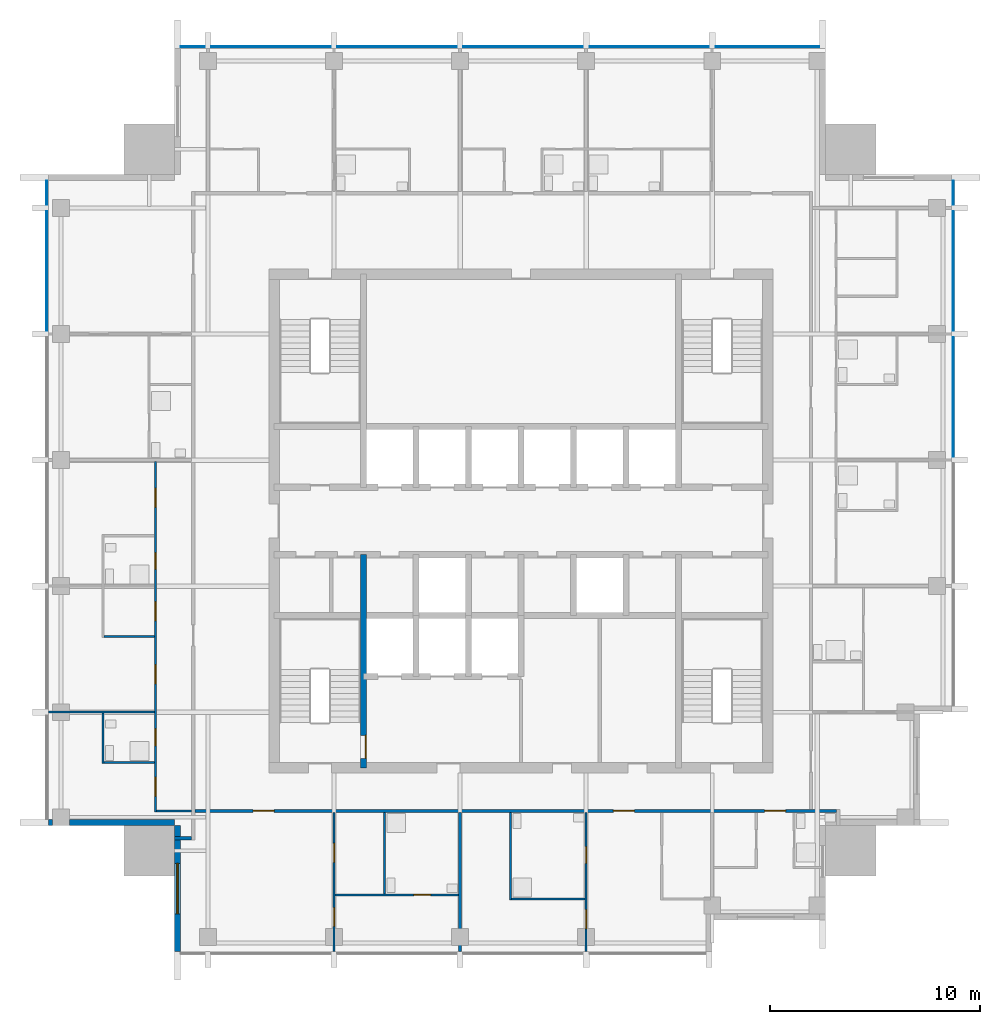
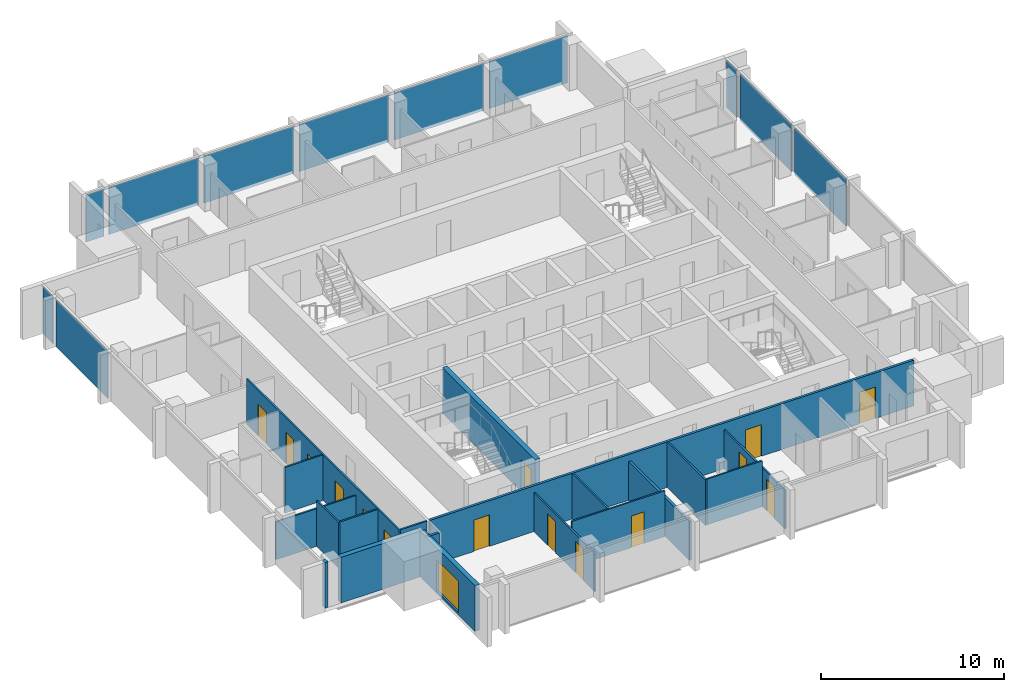
# One storey, part 3 of 9: 19 walls, 15 doors, 11 plates, 1 window, 16 openings, 3 elements without a shape of their own.
"""IFC4 building model written with IfcOpenShell, lengths in metres."""

from ifc_helpers import new_model, si_unit, direction, frame, frame_2d, origin, origin_2d, place, context, subcontext, project, spatial, rectangle, extrude, material, layer, layer_set, type_object, element, fill, aggregate, save


model = new_model("IFC4")

# Units and contexts
model_context = context("Model", 3, precision=1e-05, world=origin(), true_north=direction((0.0, 1.0)))
body_context = subcontext(model_context, "Body", "Model", "MODEL_VIEW")
ifc_project = project(units=[si_unit("LENGTHUNIT", "METRE"), si_unit("AREAUNIT", "SQUARE_METRE"), si_unit("VOLUMEUNIT", "CUBIC_METRE"), si_unit("PLANEANGLEUNIT", "RADIAN"), si_unit("MASSUNIT", "GRAM", prefix="KILO")], contexts=[model_context])

# Site, building, storey
site_placement = place(None, origin())
site = spatial("IfcSite", under=ifc_project, at=site_placement, CompositionType="ELEMENT")
building_placement = place(site_placement, origin())
building = spatial("IfcBuilding", under=site, at=building_placement, Name="Amberfall Residences", CompositionType="ELEMENT")
storey_placement = place(building_placement, frame((0.0, 0.0, 265.300048828125)))
storey = spatial("IfcBuildingStorey", under=building, at=storey_placement, Name="L71", CompositionType="ELEMENT", Elevation=265.300048828125)

# Curtain wall, plates
ifc_material_1 = material(Name="Bronze anodised aluminium and glass", Category="aluminium")
curtain_wall_type = type_object("IfcCurtainWallType", Name="Curtain wall CW1 tower unit", PredefinedType="USERDEFINED", material=ifc_material_1)
curtain_wall_1_placement = place(storey_placement, origin())
curtain_wall_1 = element("IfcCurtainWall", 1, at=curtain_wall_1_placement, inside=storey, type_object=curtain_wall_type, Name="Curtain wall L71 E E3", ObjectType="UNITISED CURTAIN WALL", PredefinedType="USERDEFINED")
ifc_material_2 = material(Name="Tinted double glazed unit", Category="glass")
ifc_layer_1 = layer(ifc_material_2, 0.035888671875)
ifc_layer_set_1 = layer_set([ifc_layer_1], Name="CW1 panel 36 glazing")
plate_type = type_object("IfcPlateType", Name="CW1 panel 36 glazing", PredefinedType="CURTAIN_PANEL", material=ifc_layer_set_1)
plate_1_placement = place(storey_placement, frame((95.074951171875, 51.39990234375, -0.25), z_axis=(0.0, 0.0, 1.0), x_axis=(0.0, 1.0, 0.0)))
plate_1 = element("IfcPlate", 2, at=plate_1_placement, type_object=plate_type, Name="CW1 panel 3.1", PredefinedType="CURTAIN_PANEL", context=body_context, shape_type="SweptSolid", body=[
    extrude(rectangle(XDim=5.676025390625, YDim=0.035888671875, at=origin_2d()), origin(), (0.0, 0.0, 1.0), 3.14990234375),
])
plate_2_placement = place(storey_placement, frame((95.074951171875, 57.39990234375, -0.25), z_axis=(0.0, 0.0, 1.0), x_axis=(0.0, 1.0, 0.0)))
plate_2 = element("IfcPlate", 3, at=plate_2_placement, type_object=plate_type, Name="CW1 panel 4.1", PredefinedType="CURTAIN_PANEL", context=body_context, shape_type="SweptSolid", body=[
    extrude(rectangle(XDim=5.676025390625, YDim=0.035888671875, at=origin_2d()), origin(), (0.0, 0.0, 1.0), 3.14990234375),
])
plate_3_placement = place(storey_placement, frame((95.074951171875, 61.125, -0.25), z_axis=(0.0, 0.0, 1.0), x_axis=(0.0, 1.0, 0.0)))
plate_3 = element("IfcPlate", 4, at=plate_3_placement, type_object=plate_type, Name="CW1 panel 5.1", PredefinedType="CURTAIN_PANEL", context=body_context, shape_type="SweptSolid", body=[
    extrude(rectangle(XDim=1.1259765625, YDim=0.035888671875, at=origin_2d()), origin(), (0.0, 0.0, 1.0), 3.14990234375),
])
aggregate(curtain_wall_1, [plate_1, plate_2, plate_3])

curtain_wall_2_placement = place(storey_placement, origin())
curtain_wall_2 = element("IfcCurtainWall", 5, at=curtain_wall_2_placement, inside=storey, type_object=curtain_wall_type, Name="Curtain wall L71 N N1", ObjectType="UNITISED CURTAIN WALL", PredefinedType="USERDEFINED")
plate_4_placement = place(storey_placement, frame((86.22509765625, 68.074951171875, -0.25), z_axis=(0.0, 0.0, 1.0), x_axis=(-1.0, 0.0, 0.0)))
plate_4 = element("IfcPlate", 6, at=plate_4_placement, type_object=plate_type, Name="CW1 panel 1.1", PredefinedType="CURTAIN_PANEL", context=body_context, shape_type="SweptSolid", body=[
    extrude(rectangle(XDim=4.926025390625, YDim=0.035888671875, at=origin_2d()), origin(), (0.0, 0.0, 1.0), 3.14990234375),
])
plate_5_placement = place(storey_placement, frame((80.60009765625, 68.074951171875, -0.25), z_axis=(0.0, 0.0, 1.0), x_axis=(-1.0, 0.0, 0.0)))
plate_5 = element("IfcPlate", 7, at=plate_5_placement, type_object=plate_type, Name="CW1 panel 2.1", PredefinedType="CURTAIN_PANEL", context=body_context, shape_type="SweptSolid", body=[
    extrude(rectangle(XDim=5.676025390625, YDim=0.035888671875, at=origin_2d()), origin(), (0.0, 0.0, 1.0), 3.14990234375),
])
plate_6_placement = place(storey_placement, frame((74.60009765625, 68.074951171875, -0.25), z_axis=(0.0, 0.0, 1.0), x_axis=(-1.0, 0.0, 0.0)))
plate_6 = element("IfcPlate", 8, at=plate_6_placement, type_object=plate_type, Name="CW1 panel 3.1", PredefinedType="CURTAIN_PANEL", context=body_context, shape_type="SweptSolid", body=[
    extrude(rectangle(XDim=5.676025390625, YDim=0.035888671875, at=origin_2d()), origin(), (0.0, 0.0, 1.0), 3.14990234375),
])
plate_7_placement = place(storey_placement, frame((68.60009765625, 68.074951171875, -0.25), z_axis=(0.0, 0.0, 1.0), x_axis=(-1.0, 0.0, 0.0)))
plate_7 = element("IfcPlate", 9, at=plate_7_placement, type_object=plate_type, Name="CW1 panel 4.1", PredefinedType="CURTAIN_PANEL", context=body_context, shape_type="SweptSolid", body=[
    extrude(rectangle(XDim=5.676025390625, YDim=0.035888671875, at=origin_2d()), origin(), (0.0, 0.0, 1.0), 3.14990234375),
])
plate_8_placement = place(storey_placement, frame((62.60009765625, 68.074951171875, -0.25), z_axis=(0.0, 0.0, 1.0), x_axis=(-1.0, 0.0, 0.0)))
plate_8 = element("IfcPlate", 10, at=plate_8_placement, type_object=plate_type, Name="CW1 panel 5.1", PredefinedType="CURTAIN_PANEL", context=body_context, shape_type="SweptSolid", body=[
    extrude(rectangle(XDim=5.676025390625, YDim=0.035888671875, at=origin_2d()), origin(), (0.0, 0.0, 1.0), 3.14990234375),
])
plate_9_placement = place(storey_placement, frame((58.875, 68.074951171875, -0.25), z_axis=(0.0, 0.0, 1.0), x_axis=(-1.0, 0.0, 0.0)))
plate_9 = element("IfcPlate", 11, at=plate_9_placement, type_object=plate_type, Name="CW1 panel 6.1", PredefinedType="CURTAIN_PANEL", context=body_context, shape_type="SweptSolid", body=[
    extrude(rectangle(XDim=1.1259765625, YDim=0.035888671875, at=origin_2d()), origin(), (0.0, 0.0, 1.0), 3.14990234375),
])
aggregate(curtain_wall_2, [plate_4, plate_5, plate_6, plate_7, plate_8, plate_9])

curtain_wall_3_placement = place(storey_placement, origin())
curtain_wall_3 = element("IfcCurtainWall", 12, at=curtain_wall_3_placement, inside=storey, type_object=curtain_wall_type, Name="Curtain wall L71 W W1", ObjectType="UNITISED CURTAIN WALL", PredefinedType="USERDEFINED")
plate_10_placement = place(storey_placement, frame((51.925048828125, 61.125, -0.25), z_axis=(0.0, 0.0, 1.0), x_axis=(0.0, -1.0, 0.0)))
plate_10 = element("IfcPlate", 13, at=plate_10_placement, type_object=plate_type, Name="CW1 panel 1.1", PredefinedType="CURTAIN_PANEL", context=body_context, shape_type="SweptSolid", body=[
    extrude(rectangle(XDim=1.1259765625, YDim=0.035888671875, at=origin_2d()), origin(), (0.0, 0.0, 1.0), 3.14990234375),
])
plate_11_placement = place(storey_placement, frame((51.925048828125, 57.39990234375, -0.25), z_axis=(0.0, 0.0, 1.0), x_axis=(0.0, -1.0, 0.0)))
plate_11 = element("IfcPlate", 14, at=plate_11_placement, type_object=plate_type, Name="CW1 panel 2.1", PredefinedType="CURTAIN_PANEL", context=body_context, shape_type="SweptSolid", body=[
    extrude(rectangle(XDim=5.676025390625, YDim=0.035888671875, at=origin_2d()), origin(), (0.0, 0.0, 1.0), 3.14990234375),
])
aggregate(curtain_wall_3, [plate_10, plate_11])

# Walls
ifc_material_3 = material(Name="Pale stone cladding on insulated backing", Category="masonry")
ifc_layer_2 = layer(ifc_material_3, 0.300048828125)
ifc_layer_set_2 = layer_set([ifc_layer_2], Name="Bronze clad wall 300")
wall_type_1 = type_object("IfcWallType", Name="Bronze clad wall 300", PredefinedType="SOLIDWALL", material=ifc_layer_set_2)
wall_1_placement = place(storey_placement, frame((52.0, 31.14990234375, 0.0), z_axis=(0.0, 0.0, 1.0), x_axis=(1.0, 0.0, 0.0)))
element("IfcWall", 15, at=wall_1_placement, inside=storey, type_object=wall_type_1, Name="External wall L71 SW", PredefinedType="SOLIDWALL", context=body_context, shape_type="SweptSolid", body=[
    extrude(rectangle(XDim=0.199951171875, YDim=0.300048828125, at=frame_2d((0.10009765625, 0.0))), origin(), (0.0, 0.0, 1.0), 3.050048828125),
])
wall_2_placement = place(storey_placement, frame((53.0, 31.14990234375, 0.0), z_axis=(0.0, 0.0, 1.0), x_axis=(1.0, 0.0, 0.0)))
element("IfcWall", 16, at=wall_2_placement, inside=storey, type_object=wall_type_1, Name="External wall L71 SW", PredefinedType="SOLIDWALL", context=body_context, shape_type="SweptSolid", body=[
    extrude(rectangle(XDim=5.0, YDim=0.300048828125, at=frame_2d((2.5, 0.0))), origin(), (0.0, 0.0, 1.0), 3.050048828125),
])

# Wall, opening, window
wall_3_placement = place(storey_placement, frame((58.14990234375, 31.0, 0.0), z_axis=(0.0, 0.0, 1.0), x_axis=(0.0, -1.0, 0.0)))
wall_3 = element("IfcWall", 17, at=wall_3_placement, inside=storey, type_object=wall_type_1, Name="External wall L71 SW", PredefinedType="SOLIDWALL", context=body_context, shape_type="SweptSolid", body=[
    extrude(rectangle(XDim=6.0, YDim=0.300048828125, at=frame_2d((3.0, 0.0))), origin(), (0.0, 0.0, 1.0), 3.050048828125),
])
opening_1_placement = place(wall_3_placement, frame((1.800048828125, 0.0, 0.14990234375)))
opening_1 = element("IfcOpeningElement", 18, at=opening_1_placement, cuts=wall_3, Name="Opening WN5", PredefinedType="OPENING", context=body_context, shape_type="SweptSolid", body=[
    extrude(rectangle(XDim=2.39990234375, YDim=2.10009765625, at=frame_2d((1.199951171875, 1.050048828125))), frame((0.0, 0.159912109375, 0.0), z_axis=(0.0, -1.0, 0.0), x_axis=(1.0, 0.0, 0.0)), (0.0, 0.0, 1.0), 0.320068359375),
])
ifc_material_4 = material(Name="Bronze aluminium framed glazing", Category="aluminium")
window_type = type_object("IfcWindowType", Name="Glazed opening 2400 x 2100 bronze", PartitioningType="DOUBLE_PANEL_VERTICAL", PredefinedType="WINDOW", material=ifc_material_4)
window_placement = place(opening_1_placement, origin())
window = element("IfcWindow", 19, at=window_placement, inside=storey, type_object=window_type, Name="Window L71 SW", OverallHeight=2.10009765625, OverallWidth=2.39990234375, PartitioningType="DOUBLE_PANEL_VERTICAL", PredefinedType="WINDOW", context=body_context, shape_type="SweptSolid", body=[
    extrude(rectangle(XDim=2.39990234375, YDim=2.10009765625, at=frame_2d((1.199951171875, 1.050048828125))), frame((0.0, 0.030029296875, 0.0), z_axis=(0.0, -1.0, 0.0), x_axis=(1.0, 0.0, 0.0)), (0.0, 0.0, 1.0), 0.06005859375),
])
fill(opening_1, window)

# Wall, opening, door
ifc_material_5 = material(Name="Concrete C50", Category="concrete")
ifc_layer_3 = layer(ifc_material_5, 0.300048828125)
ifc_layer_set_3 = layer_set([ifc_layer_3], Name="Core wall 300 C50")
wall_type_2 = type_object("IfcWallType", Name="Core wall 300 C50", PredefinedType="SHEAR", material=ifc_layer_set_3)
wall_4_placement = place(storey_placement, frame((67.0, 33.75, 0.0), z_axis=(0.0, 0.0, 1.0), x_axis=(0.0, 1.0, 0.0)))
wall_4 = element("IfcWall", 20, at=wall_4_placement, inside=storey, type_object=wall_type_2, Name="Core wall RW10 L71 V45S", PredefinedType="SHEAR", context=body_context, shape_type="SweptSolid", body=[
    extrude(rectangle(XDim=10.14990234375, YDim=0.300048828125, at=frame_2d((5.074951171875, 0.0))), origin(), (0.0, 0.0, 1.0), 3.050048828125),
])
opening_2_placement = place(wall_4_placement, frame((0.449951171875, 0.0, 0.0)))
opening_2 = element("IfcOpeningElement", 21, at=opening_2_placement, cuts=wall_4, Name="Opening FL1", PredefinedType="OPENING", context=body_context, shape_type="SweptSolid", body=[
    extrude(rectangle(XDim=1.10009765625, YDim=2.10009765625, at=frame_2d((0.550048828125, 1.050048828125))), frame((0.0, 0.159912109375, 0.0), z_axis=(0.0, -1.0, 0.0), x_axis=(1.0, 0.0, 0.0)), (0.0, 0.0, 1.0), 0.320068359375),
])
ifc_material_6 = material(Name="Steel fire door set", Category="steel")
door_type_1 = type_object("IfcDoorType", Name="Firefighting lobby door 1100 x 2100", OperationType="SINGLE_SWING_LEFT", PredefinedType="DOOR", material=ifc_material_6)
door_1_placement = place(opening_2_placement, origin())
door_1 = element("IfcDoor", 22, at=door_1_placement, inside=storey, type_object=door_type_1, Name="FL1 L71", OperationType="SINGLE_SWING_RIGHT", OverallHeight=2.10009765625, OverallWidth=1.10009765625, PredefinedType="DOOR", context=body_context, shape_type="SweptSolid", body=[
    extrude(rectangle(XDim=1.10009765625, YDim=2.10009765625, at=frame_2d((0.550048828125, 1.050048828125))), frame((0.0, -0.08740234375, 0.0), z_axis=(0.0, -1.0, 0.0), x_axis=(1.0, 0.0, 0.0)), (0.0, 0.0, 1.0), 0.050048828125),
])
fill(opening_2, door_1)

# Wall
ifc_material_7 = material(Name="Gypsum board on metal stud")
ifc_layer_4 = layer(ifc_material_7, 0.10009765625)
ifc_layer_set_4 = layer_set([ifc_layer_4], Name="Flat partition 100")
wall_type_3 = type_object("IfcWallType", Name="Flat partition 100", PredefinedType="PARTITIONING", material=ifc_layer_set_4)
wall_5_placement = place(storey_placement, frame((54.60009765625, 33.949951171875, 0.0), z_axis=(0.0, 0.0, 1.0), x_axis=(0.0, 1.0, 0.0)))
element("IfcWall", 23, at=wall_5_placement, inside=storey, type_object=wall_type_3, Name="Partition 001", PredefinedType="PARTITIONING", context=body_context, shape_type="SweptSolid", body=[
    extrude(rectangle(XDim=2.400146484375, YDim=0.10009765625, at=frame_2d((1.2001953125, 0.0))), origin(), (0.0, 0.0, 1.0), 3.050048828125),
])

# Wall, openings, doors
wall_6_placement = place(storey_placement, frame((57.10009765625, 31.64990234375, 0.0), z_axis=(0.0, 0.0, 1.0), x_axis=(0.0, 1.0, 0.0)))
wall_6 = element("IfcWall", 24, at=wall_6_placement, inside=storey, type_object=wall_type_3, Name="Partition 004", PredefinedType="PARTITIONING", context=body_context, shape_type="SweptSolid", body=[
    extrude(rectangle(XDim=16.675048828125, YDim=0.10009765625, at=frame_2d((8.33740234375, 0.0))), origin(), (0.0, 0.0, 1.0), 3.050048828125),
])
opening_3_placement = place(wall_6_placement, frame((6.10009765625, 0.0, 0.0)))
opening_3 = element("IfcOpeningElement", 25, at=opening_3_placement, cuts=wall_6, Name="Opening D41", PredefinedType="OPENING", context=body_context, shape_type="SweptSolid", body=[
    extrude(rectangle(XDim=0.89990234375, YDim=2.10009765625, at=frame_2d((0.449951171875, 1.050048828125))), frame((0.0, 0.06005859375, 0.0), z_axis=(0.0, -1.0, 0.0), x_axis=(1.0, 0.0, 0.0)), (0.0, 0.0, 1.0), 0.1201171875),
])
opening_4_placement = place(wall_6_placement, frame((9.10009765625, 0.0, 0.0)))
opening_4 = element("IfcOpeningElement", 26, at=opening_4_placement, cuts=wall_6, Name="Opening D41", PredefinedType="OPENING", context=body_context, shape_type="SweptSolid", body=[
    extrude(rectangle(XDim=0.89990234375, YDim=2.10009765625, at=frame_2d((0.449951171875, 1.050048828125))), frame((0.0, 0.06005859375, 0.0), z_axis=(0.0, -1.0, 0.0), x_axis=(1.0, 0.0, 0.0)), (0.0, 0.0, 1.0), 0.1201171875),
])
opening_5_placement = place(wall_6_placement, frame((0.75, 0.0, 0.0)))
opening_5 = element("IfcOpeningElement", 27, at=opening_5_placement, cuts=wall_6, Name="Opening D41", PredefinedType="OPENING", context=body_context, shape_type="SweptSolid", body=[
    extrude(rectangle(XDim=0.89990234375, YDim=2.10009765625, at=frame_2d((0.449951171875, 1.050048828125))), frame((0.0, 0.06005859375, 0.0), z_axis=(0.0, -1.0, 0.0), x_axis=(1.0, 0.0, 0.0)), (0.0, 0.0, 1.0), 0.1201171875),
])
opening_6_placement = place(wall_6_placement, frame((14.5, 0.0, 0.0)))
opening_6 = element("IfcOpeningElement", 28, at=opening_6_placement, cuts=wall_6, Name="Opening D41", PredefinedType="OPENING", context=body_context, shape_type="SweptSolid", body=[
    extrude(rectangle(XDim=0.89990234375, YDim=2.10009765625, at=frame_2d((0.449951171875, 1.050048828125))), frame((0.0, 0.06005859375, 0.0), z_axis=(0.0, -1.0, 0.0), x_axis=(1.0, 0.0, 0.0)), (0.0, 0.0, 1.0), 0.1201171875),
])
opening_7_placement = place(wall_6_placement, frame((3.14990234375, 0.0, 0.0)))
opening_7 = element("IfcOpeningElement", 29, at=opening_7_placement, cuts=wall_6, Name="Opening D42", PredefinedType="OPENING", context=body_context, shape_type="SweptSolid", body=[
    extrude(rectangle(XDim=0.800048828125, YDim=2.10009765625, at=frame_2d((0.39990234375, 1.050048828125))), frame((0.0, 0.06005859375, 0.0), z_axis=(0.0, -1.0, 0.0), x_axis=(1.0, 0.0, 0.0)), (0.0, 0.0, 1.0), 0.1201171875),
])
opening_8_placement = place(wall_6_placement, frame((11.550048828125, 0.0, 0.0)))
opening_8 = element("IfcOpeningElement", 30, at=opening_8_placement, cuts=wall_6, Name="Opening D42", PredefinedType="OPENING", context=body_context, shape_type="SweptSolid", body=[
    extrude(rectangle(XDim=0.800048828125, YDim=2.10009765625, at=frame_2d((0.39990234375, 1.050048828125))), frame((0.0, 0.06005859375, 0.0), z_axis=(0.0, -1.0, 0.0), x_axis=(1.0, 0.0, 0.0)), (0.0, 0.0, 1.0), 0.1201171875),
])
ifc_material_8 = material(Name="Timber", Category="wood")
door_type_2 = type_object("IfcDoorType", Name="Bathroom door 800 x 2100", OperationType="SINGLE_SWING_LEFT", PredefinedType="DOOR", material=ifc_material_8)
door_2_placement = place(opening_7_placement, origin())
door_2 = element("IfcDoor", 31, at=door_2_placement, inside=storey, type_object=door_type_2, Name="Door 7109 bath1", OperationType="SINGLE_SWING_LEFT", OverallHeight=2.10009765625, OverallWidth=0.800048828125, PredefinedType="DOOR", context=body_context, shape_type="SweptSolid", body=[
    extrude(rectangle(XDim=0.800048828125, YDim=2.10009765625, at=frame_2d((0.39990234375, 1.050048828125))), frame((0.0, 0.02490234375, 0.0), z_axis=(0.0, -1.0, 0.0), x_axis=(1.0, 0.0, 0.0)), (0.0, 0.0, 1.0), 0.050048828125),
])
fill(opening_7, door_2)
door_3_placement = place(opening_8_placement, origin())
door_3 = element("IfcDoor", 32, at=door_3_placement, inside=storey, type_object=door_type_2, Name="Door 7109 bath2", OperationType="SINGLE_SWING_LEFT", OverallHeight=2.10009765625, OverallWidth=0.800048828125, PredefinedType="DOOR", context=body_context, shape_type="SweptSolid", body=[
    extrude(rectangle(XDim=0.800048828125, YDim=2.10009765625, at=frame_2d((0.39990234375, 1.050048828125))), frame((0.0, 0.02490234375, 0.0), z_axis=(0.0, -1.0, 0.0), x_axis=(1.0, 0.0, 0.0)), (0.0, 0.0, 1.0), 0.050048828125),
])
fill(opening_8, door_3)
door_type_3 = type_object("IfcDoorType", Name="Internal door 900 x 2100", OperationType="SINGLE_SWING_LEFT", PredefinedType="DOOR", material=ifc_material_8)
door_4_placement = place(opening_3_placement, origin())
door_4 = element("IfcDoor", 33, at=door_4_placement, inside=storey, type_object=door_type_3, Name="Door 7109 living", OperationType="SINGLE_SWING_LEFT", OverallHeight=2.10009765625, OverallWidth=0.89990234375, PredefinedType="DOOR", context=body_context, shape_type="SweptSolid", body=[
    extrude(rectangle(XDim=0.89990234375, YDim=2.10009765625, at=frame_2d((0.449951171875, 1.050048828125))), frame((0.0, 0.02490234375, 0.0), z_axis=(0.0, -1.0, 0.0), x_axis=(1.0, 0.0, 0.0)), (0.0, 0.0, 1.0), 0.050048828125),
])
fill(opening_3, door_4)
door_5_placement = place(opening_4_placement, origin())
door_5 = element("IfcDoor", 34, at=door_5_placement, inside=storey, type_object=door_type_3, Name="Door 7109 kitchen", OperationType="SINGLE_SWING_LEFT", OverallHeight=2.10009765625, OverallWidth=0.89990234375, PredefinedType="DOOR", context=body_context, shape_type="SweptSolid", body=[
    extrude(rectangle(XDim=0.89990234375, YDim=2.10009765625, at=frame_2d((0.449951171875, 1.050048828125))), frame((0.0, 0.02490234375, 0.0), z_axis=(0.0, -1.0, 0.0), x_axis=(1.0, 0.0, 0.0)), (0.0, 0.0, 1.0), 0.050048828125),
])
fill(opening_4, door_5)
door_6_placement = place(opening_5_placement, origin())
door_6 = element("IfcDoor", 35, at=door_6_placement, inside=storey, type_object=door_type_3, Name="Door 7109 bedroom1", OperationType="SINGLE_SWING_LEFT", OverallHeight=2.10009765625, OverallWidth=0.89990234375, PredefinedType="DOOR", context=body_context, shape_type="SweptSolid", body=[
    extrude(rectangle(XDim=0.89990234375, YDim=2.10009765625, at=frame_2d((0.449951171875, 1.050048828125))), frame((0.0, 0.02490234375, 0.0), z_axis=(0.0, -1.0, 0.0), x_axis=(1.0, 0.0, 0.0)), (0.0, 0.0, 1.0), 0.050048828125),
])
fill(opening_5, door_6)
door_7_placement = place(opening_6_placement, origin())
door_7 = element("IfcDoor", 36, at=door_7_placement, inside=storey, type_object=door_type_3, Name="Door 7109 bedroom2", OperationType="SINGLE_SWING_LEFT", OverallHeight=2.10009765625, OverallWidth=0.89990234375, PredefinedType="DOOR", context=body_context, shape_type="SweptSolid", body=[
    extrude(rectangle(XDim=0.89990234375, YDim=2.10009765625, at=frame_2d((0.449951171875, 1.050048828125))), frame((0.0, 0.02490234375, 0.0), z_axis=(0.0, -1.0, 0.0), x_axis=(1.0, 0.0, 0.0)), (0.0, 0.0, 1.0), 0.050048828125),
])
fill(opening_6, door_7)

wall_7_placement = place(storey_placement, frame((65.60009765625, 31.625, 0.0), z_axis=(0.0, 0.0, 1.0), x_axis=(0.0, -1.0, 0.0)))
wall_7 = element("IfcWall", 37, at=wall_7_placement, inside=storey, type_object=wall_type_3, Name="Partition 006", PredefinedType="PARTITIONING", context=body_context, shape_type="SweptSolid", body=[
    extrude(rectangle(XDim=6.625, YDim=0.10009765625, at=frame_2d((3.3125, 0.0))), origin(), (0.0, 0.0, 1.0), 2.58984375),
])
opening_9_placement = place(wall_7_placement, frame((1.47509765625, 0.0, 0.0)))
opening_9 = element("IfcOpeningElement", 38, at=opening_9_placement, cuts=wall_7, Name="Opening D41", PredefinedType="OPENING", context=body_context, shape_type="SweptSolid", body=[
    extrude(rectangle(XDim=0.89990234375, YDim=2.10009765625, at=frame_2d((0.449951171875, 1.050048828125))), frame((0.0, 0.06005859375, 0.0), z_axis=(0.0, -1.0, 0.0), x_axis=(1.0, 0.0, 0.0)), (0.0, 0.0, 1.0), 0.1201171875),
])
opening_10_placement = place(wall_7_placement, frame((4.52490234375, 0.0, 0.0)))
opening_10 = element("IfcOpeningElement", 39, at=opening_10_placement, cuts=wall_7, Name="Opening D41", PredefinedType="OPENING", context=body_context, shape_type="SweptSolid", body=[
    extrude(rectangle(XDim=0.89990234375, YDim=2.10009765625, at=frame_2d((0.449951171875, 1.050048828125))), frame((0.0, 0.06005859375, 0.0), z_axis=(0.0, -1.0, 0.0), x_axis=(1.0, 0.0, 0.0)), (0.0, 0.0, 1.0), 0.1201171875),
])
door_8_placement = place(opening_9_placement, origin())
door_8 = element("IfcDoor", 40, at=door_8_placement, inside=storey, type_object=door_type_3, Name="Door 7101 kitchen", OperationType="SINGLE_SWING_LEFT", OverallHeight=2.10009765625, OverallWidth=0.89990234375, PredefinedType="DOOR", context=body_context, shape_type="SweptSolid", body=[
    extrude(rectangle(XDim=0.89990234375, YDim=2.10009765625, at=frame_2d((0.449951171875, 1.050048828125))), frame((0.0, 0.02490234375, 0.0), z_axis=(0.0, -1.0, 0.0), x_axis=(1.0, 0.0, 0.0)), (0.0, 0.0, 1.0), 0.050048828125),
])
fill(opening_9, door_8)
door_9_placement = place(opening_10_placement, origin())
door_9 = element("IfcDoor", 41, at=door_9_placement, inside=storey, type_object=door_type_3, Name="Door 7101 bedroom1", OperationType="SINGLE_SWING_LEFT", OverallHeight=2.10009765625, OverallWidth=0.89990234375, PredefinedType="DOOR", context=body_context, shape_type="SweptSolid", body=[
    extrude(rectangle(XDim=0.89990234375, YDim=2.10009765625, at=frame_2d((0.449951171875, 1.050048828125))), frame((0.0, 0.02490234375, 0.0), z_axis=(0.0, -1.0, 0.0), x_axis=(1.0, 0.0, 0.0)), (0.0, 0.0, 1.0), 0.050048828125),
])
fill(opening_10, door_9)

# Walls
wall_8_placement = place(storey_placement, frame((68.0, 27.75, 0.0), z_axis=(0.0, 0.0, 1.0), x_axis=(0.0, 1.0, 0.0)))
element("IfcWall", 42, at=wall_8_placement, inside=storey, type_object=wall_type_3, Name="Partition 008", PredefinedType="PARTITIONING", context=body_context, shape_type="SweptSolid", body=[
    extrude(rectangle(XDim=3.875, YDim=0.10009765625, at=frame_2d((1.9375, 0.0))), origin(), (0.0, 0.0, 1.0), 3.050048828125),
])
wall_9_placement = place(storey_placement, frame((74.0, 27.449951171875, 0.0), z_axis=(0.0, 0.0, 1.0), x_axis=(0.0, 1.0, 0.0)))
element("IfcWall", 43, at=wall_9_placement, inside=storey, type_object=wall_type_3, Name="Partition 011", PredefinedType="PARTITIONING", context=body_context, shape_type="SweptSolid", body=[
    extrude(rectangle(XDim=4.175048828125, YDim=0.10009765625, at=frame_2d((2.08740234375, 0.0))), origin(), (0.0, 0.0, 1.0), 3.050048828125),
])

# Wall, openings, doors
wall_10_placement = place(storey_placement, frame((77.60009765625, 25.0, 0.0), z_axis=(0.0, 0.0, 1.0), x_axis=(0.0, 1.0, 0.0)))
wall_10 = element("IfcWall", 44, at=wall_10_placement, inside=storey, type_object=wall_type_3, Name="Partition 013", PredefinedType="PARTITIONING", context=body_context, shape_type="SweptSolid", body=[
    extrude(rectangle(XDim=6.625, YDim=0.10009765625, at=frame_2d((3.3125, 0.0))), origin(), (0.0, 0.0, 1.0), 2.58984375),
])
opening_11_placement = place(wall_10_placement, frame((1.10009765625, 0.0, 0.0)))
opening_11 = element("IfcOpeningElement", 45, at=opening_11_placement, cuts=wall_10, Name="Opening D41", PredefinedType="OPENING", context=body_context, shape_type="SweptSolid", body=[
    extrude(rectangle(XDim=0.89990234375, YDim=2.10009765625, at=frame_2d((0.449951171875, 1.050048828125))), frame((0.0, 0.06005859375, 0.0), z_axis=(0.0, -1.0, 0.0), x_axis=(1.0, 0.0, 0.0)), (0.0, 0.0, 1.0), 0.1201171875),
])
opening_12_placement = place(wall_10_placement, frame((4.199951171875, 0.0, 0.0)))
opening_12 = element("IfcOpeningElement", 46, at=opening_12_placement, cuts=wall_10, Name="Opening D42", PredefinedType="OPENING", context=body_context, shape_type="SweptSolid", body=[
    extrude(rectangle(XDim=0.800048828125, YDim=2.10009765625, at=frame_2d((0.39990234375, 1.050048828125))), frame((0.0, 0.06005859375, 0.0), z_axis=(0.0, -1.0, 0.0), x_axis=(1.0, 0.0, 0.0)), (0.0, 0.0, 1.0), 0.1201171875),
])
door_10_placement = place(opening_12_placement, origin())
door_10 = element("IfcDoor", 47, at=door_10_placement, inside=storey, type_object=door_type_2, Name="Door 7102 bath1", OperationType="SINGLE_SWING_LEFT", OverallHeight=2.10009765625, OverallWidth=0.800048828125, PredefinedType="DOOR", context=body_context, shape_type="SweptSolid", body=[
    extrude(rectangle(XDim=0.800048828125, YDim=2.10009765625, at=frame_2d((0.39990234375, 1.050048828125))), frame((0.0, 0.02490234375, 0.0), z_axis=(0.0, -1.0, 0.0), x_axis=(1.0, 0.0, 0.0)), (0.0, 0.0, 1.0), 0.050048828125),
])
fill(opening_12, door_10)
door_11_placement = place(opening_11_placement, origin())
door_11 = element("IfcDoor", 48, at=door_11_placement, inside=storey, type_object=door_type_3, Name="Door 7102 bedroom1", OperationType="SINGLE_SWING_LEFT", OverallHeight=2.10009765625, OverallWidth=0.89990234375, PredefinedType="DOOR", context=body_context, shape_type="SweptSolid", body=[
    extrude(rectangle(XDim=0.89990234375, YDim=2.10009765625, at=frame_2d((0.449951171875, 1.050048828125))), frame((0.0, 0.02490234375, 0.0), z_axis=(0.0, -1.0, 0.0), x_axis=(1.0, 0.0, 0.0)), (0.0, 0.0, 1.0), 0.050048828125),
])
fill(opening_11, door_11)

# Walls
wall_11_placement = place(storey_placement, frame((54.64990234375, 40.0, 0.0), z_axis=(0.0, 0.0, 1.0), x_axis=(1.0, 0.0, 0.0)))
element("IfcWall", 49, at=wall_11_placement, inside=storey, type_object=wall_type_3, Name="Partition 038", PredefinedType="PARTITIONING", context=body_context, shape_type="SweptSolid", body=[
    extrude(rectangle(XDim=2.400146484375, YDim=0.10009765625, at=frame_2d((1.2001953125, 0.0))), origin(), (0.0, 0.0, 1.0), 3.050048828125),
])
wall_12_placement = place(storey_placement, frame((52.0, 36.39990234375, 0.0), z_axis=(0.0, 0.0, 1.0), x_axis=(1.0, 0.0, 0.0)))
element("IfcWall", 50, at=wall_12_placement, inside=storey, type_object=wall_type_3, Name="Partition 040", PredefinedType="PARTITIONING", context=body_context, shape_type="SweptSolid", body=[
    extrude(rectangle(XDim=5.050048828125, YDim=0.10009765625, at=frame_2d((2.52490234375, 0.0))), origin(), (0.0, 0.0, 1.0), 2.515869140625),
])
wall_13_placement = place(storey_placement, frame((54.64990234375, 34.0, 0.0), z_axis=(0.0, 0.0, 1.0), x_axis=(1.0, 0.0, 0.0)))
element("IfcWall", 51, at=wall_13_placement, inside=storey, type_object=wall_type_3, Name="Partition 042", PredefinedType="PARTITIONING", context=body_context, shape_type="SweptSolid", body=[
    extrude(rectangle(XDim=2.400146484375, YDim=0.10009765625, at=frame_2d((1.2001953125, 0.0))), origin(), (0.0, 0.0, 1.0), 3.050048828125),
])
wall_14_placement = place(storey_placement, frame((57.14990234375, 31.699951171875, 0.0), z_axis=(0.0, 0.0, 1.0), x_axis=(1.0, 0.0, 0.0)))
element("IfcWall", 52, at=wall_14_placement, inside=storey, type_object=wall_type_3, Name="Partition 043", PredefinedType="PARTITIONING", context=body_context, shape_type="SweptSolid", body=[
    extrude(rectangle(XDim=1.675048828125, YDim=0.10009765625, at=frame_2d((0.83740234375, 0.0))), origin(), (0.0, 0.0, 1.0), 3.050048828125),
])

# Wall, opening, door
wall_15_placement = place(storey_placement, frame((65.64990234375, 27.699951171875, 0.0), z_axis=(0.0, 0.0, 1.0), x_axis=(1.0, 0.0, 0.0)))
wall_15 = element("IfcWall", 53, at=wall_15_placement, inside=storey, type_object=wall_type_3, Name="Partition 046", PredefinedType="PARTITIONING", context=body_context, shape_type="SweptSolid", body=[
    extrude(rectangle(XDim=5.875, YDim=0.10009765625, at=frame_2d((2.9375, 0.0))), origin(), (0.0, 0.0, 1.0), 3.050048828125),
])
opening_13_placement = place(wall_15_placement, frame((3.75, 0.0, 0.0)))
opening_13 = element("IfcOpeningElement", 54, at=opening_13_placement, cuts=wall_15, Name="Opening D42", PredefinedType="OPENING", context=body_context, shape_type="SweptSolid", body=[
    extrude(rectangle(XDim=0.800048828125, YDim=2.10009765625, at=frame_2d((0.39990234375, 1.050048828125))), frame((0.0, 0.06005859375, 0.0), z_axis=(0.0, -1.0, 0.0), x_axis=(1.0, 0.0, 0.0)), (0.0, 0.0, 1.0), 0.1201171875),
])
door_12_placement = place(opening_13_placement, origin())
door_12 = element("IfcDoor", 55, at=door_12_placement, inside=storey, type_object=door_type_2, Name="Door 7101 bath1", OperationType="SINGLE_SWING_LEFT", OverallHeight=2.10009765625, OverallWidth=0.800048828125, PredefinedType="DOOR", context=body_context, shape_type="SweptSolid", body=[
    extrude(rectangle(XDim=0.800048828125, YDim=2.10009765625, at=frame_2d((0.39990234375, 1.050048828125))), frame((0.0, 0.02490234375, 0.0), z_axis=(0.0, -1.0, 0.0), x_axis=(1.0, 0.0, 0.0)), (0.0, 0.0, 1.0), 0.050048828125),
])
fill(opening_13, door_12)

# Walls
wall_16_placement = place(storey_placement, frame((74.050048828125, 27.5, 0.0), z_axis=(0.0, 0.0, 1.0), x_axis=(1.0, 0.0, 0.0)))
element("IfcWall", 56, at=wall_16_placement, inside=storey, type_object=wall_type_3, Name="Partition 047", PredefinedType="PARTITIONING", context=body_context, shape_type="SweptSolid", body=[
    extrude(rectangle(XDim=3.5, YDim=0.10009765625, at=frame_2d((1.75, 0.0))), origin(), (0.0, 0.0, 1.0), 3.050048828125),
])
ifc_material_9 = material(Name="Blockwork, plastered", Category="masonry")
ifc_layer_5 = layer(ifc_material_9, 0.14990234375)
ifc_layer_set_5 = layer_set([ifc_layer_5], Name="Flat separating wall 150")
wall_type_4 = type_object("IfcWallType", Name="Flat separating wall 150", PredefinedType="PARTITIONING", material=ifc_layer_set_5)
wall_17_placement = place(storey_placement, frame((71.60009765625, 25.0, 0.0), z_axis=(0.0, 0.0, 1.0), x_axis=(0.0, 1.0, 0.0)))
element("IfcWall", 57, at=wall_17_placement, inside=storey, type_object=wall_type_4, Name="Separating wall 051", PredefinedType="PARTITIONING", context=body_context, shape_type="SweptSolid", body=[
    extrude(rectangle(XDim=6.625, YDim=0.14990234375, at=frame_2d((3.3125, 0.0))), origin(), (0.0, 0.0, 1.0), 2.58984375),
])

# Wall, openings, doors
wall_18_placement = place(storey_placement, frame((89.52490234375, 31.699951171875, 0.0), z_axis=(0.0, 0.0, 1.0), x_axis=(-1.0, 0.0, 0.0)))
wall_18 = element("IfcWall", 58, at=wall_18_placement, inside=storey, type_object=wall_type_4, Name="Separating wall 061", PredefinedType="PARTITIONING", context=body_context, shape_type="SweptSolid", body=[
    extrude(rectangle(XDim=30.5498046875, YDim=0.14990234375, at=frame_2d((15.27490234375, 0.0))), origin(), (0.0, 0.0, 1.0), 3.050048828125),
])
opening_14_placement = place(wall_18_placement, frame((26.77490234375, 0.0, 0.0)))
opening_14 = element("IfcOpeningElement", 59, at=opening_14_placement, cuts=wall_18, Name="Opening D40", PredefinedType="OPENING", context=body_context, shape_type="SweptSolid", body=[
    extrude(rectangle(XDim=1.0, YDim=2.10009765625, at=frame_2d((0.5, 1.050048828125))), frame((0.0, 0.0849609375, 0.0), z_axis=(0.0, -1.0, 0.0), x_axis=(1.0, 0.0, 0.0)), (0.0, 0.0, 1.0), 0.169921875),
])
opening_15_placement = place(wall_18_placement, frame((9.625, 0.0, 0.0)))
opening_15 = element("IfcOpeningElement", 60, at=opening_15_placement, cuts=wall_18, Name="Opening D40", PredefinedType="OPENING", context=body_context, shape_type="SweptSolid", body=[
    extrude(rectangle(XDim=1.0, YDim=2.10009765625, at=frame_2d((0.5, 1.050048828125))), frame((0.0, 0.0849609375, 0.0), z_axis=(0.0, -1.0, 0.0), x_axis=(1.0, 0.0, 0.0)), (0.0, 0.0, 1.0), 0.169921875),
])
opening_16_placement = place(wall_18_placement, frame((2.425048828125, 0.0, 0.0)))
opening_16 = element("IfcOpeningElement", 61, at=opening_16_placement, cuts=wall_18, Name="Opening D40", PredefinedType="OPENING", context=body_context, shape_type="SweptSolid", body=[
    extrude(rectangle(XDim=1.0, YDim=2.10009765625, at=frame_2d((0.5, 1.050048828125))), frame((0.0, 0.0849609375, 0.0), z_axis=(0.0, -1.0, 0.0), x_axis=(1.0, 0.0, 0.0)), (0.0, 0.0, 1.0), 0.169921875),
])
ifc_material_10 = material(Name="Timber, fire-rated", Category="wood")
door_type_4 = type_object("IfcDoorType", Name="Flat entrance door FD60 1000 x 2100", OperationType="SINGLE_SWING_LEFT", PredefinedType="DOOR", material=ifc_material_10)
door_13_placement = place(opening_14_placement, origin())
door_13 = element("IfcDoor", 62, at=door_13_placement, inside=storey, type_object=door_type_4, Name="Door 7101 entrance", OperationType="SINGLE_SWING_LEFT", OverallHeight=2.10009765625, OverallWidth=1.0, PredefinedType="DOOR", context=body_context, shape_type="SweptSolid", body=[
    extrude(rectangle(XDim=1.0, YDim=2.10009765625, at=frame_2d((0.5, 1.050048828125))), frame((0.0, 0.02490234375, 0.0), z_axis=(0.0, -1.0, 0.0), x_axis=(1.0, 0.0, 0.0)), (0.0, 0.0, 1.0), 0.050048828125),
])
fill(opening_14, door_13)
door_14_placement = place(opening_15_placement, origin())
door_14 = element("IfcDoor", 63, at=door_14_placement, inside=storey, type_object=door_type_4, Name="Door 7102 entrance", OperationType="SINGLE_SWING_LEFT", OverallHeight=2.10009765625, OverallWidth=1.0, PredefinedType="DOOR", context=body_context, shape_type="SweptSolid", body=[
    extrude(rectangle(XDim=1.0, YDim=2.10009765625, at=frame_2d((0.5, 1.050048828125))), frame((0.0, 0.02490234375, 0.0), z_axis=(0.0, -1.0, 0.0), x_axis=(1.0, 0.0, 0.0)), (0.0, 0.0, 1.0), 0.050048828125),
])
fill(opening_15, door_14)
door_15_placement = place(opening_16_placement, origin())
door_15 = element("IfcDoor", 64, at=door_15_placement, inside=storey, type_object=door_type_4, Name="Door 7103 entrance", OperationType="SINGLE_SWING_LEFT", OverallHeight=2.10009765625, OverallWidth=1.0, PredefinedType="DOOR", context=body_context, shape_type="SweptSolid", body=[
    extrude(rectangle(XDim=1.0, YDim=2.10009765625, at=frame_2d((0.5, 1.050048828125))), frame((0.0, 0.02490234375, 0.0), z_axis=(0.0, -1.0, 0.0), x_axis=(1.0, 0.0, 0.0)), (0.0, 0.0, 1.0), 0.050048828125),
])
fill(opening_16, door_15)

# Wall
wall_19_placement = place(storey_placement, frame((58.0, 30.39990234375, 0.0), z_axis=(0.0, 0.0, 1.0), x_axis=(1.0, 0.0, 0.0)))
element("IfcWall", 65, at=wall_19_placement, inside=storey, type_object=wall_type_4, Name="Separating wall 062", PredefinedType="PARTITIONING", context=body_context, shape_type="SweptSolid", body=[
    extrude(rectangle(XDim=0.824951171875, YDim=0.14990234375, at=frame_2d((0.41259765625, 0.0))), origin(), (0.0, 0.0, 1.0), 3.050048828125),
])

save(model, "model.ifc")
